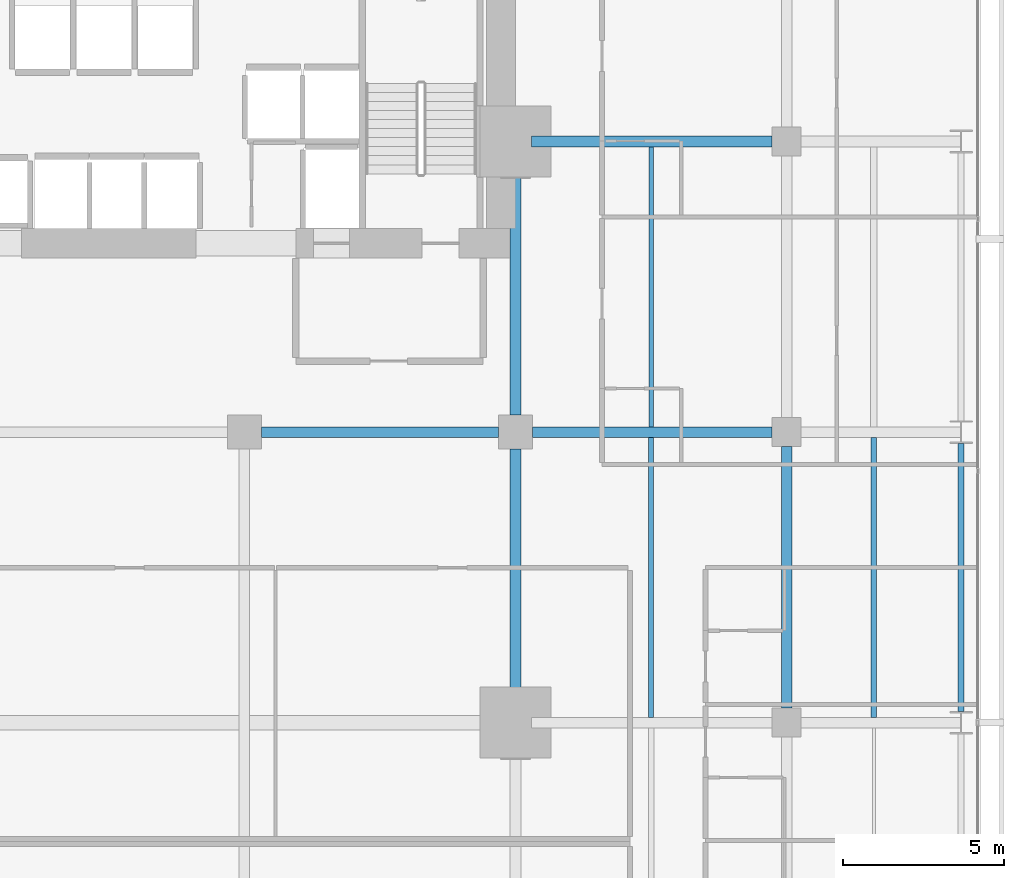
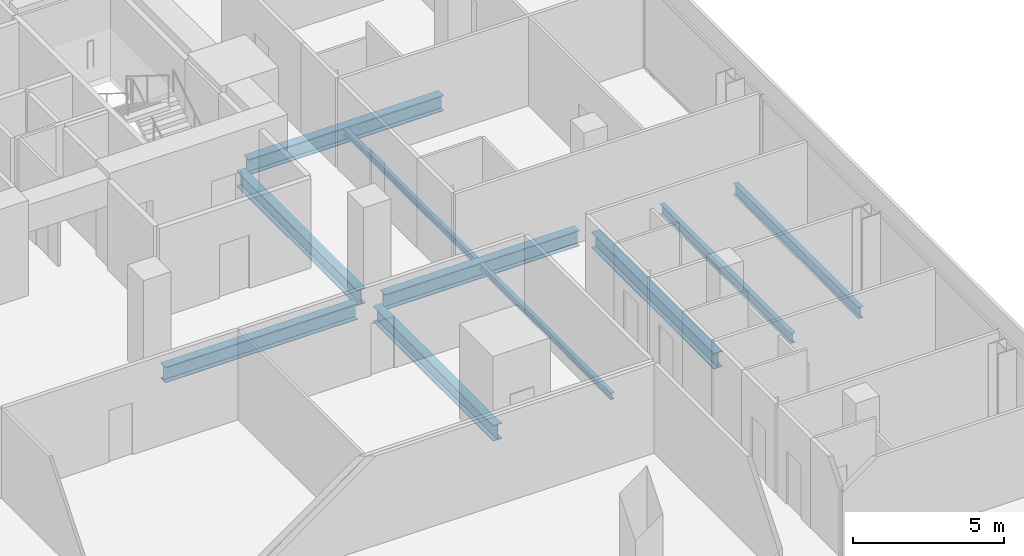
# One storey, part 27 of 40: 10 beams.
"""IFC4 building model written with IfcOpenShell, lengths in metres."""

from ifc_helpers import new_model, si_unit, direction, frame, origin, origin_2d, place, context, subcontext, project, spatial, i_section, extrude, material, material_profile, profile_set, type_object, element, save


model = new_model("IFC4")

# Units and contexts
model_context = context("Model", 3, precision=1e-05, world=origin(), true_north=direction((0.0, 1.0)))
body_context = subcontext(model_context, "Body", "Model", "MODEL_VIEW")
ifc_project = project(units=[si_unit("LENGTHUNIT", "METRE"), si_unit("AREAUNIT", "SQUARE_METRE"), si_unit("VOLUMEUNIT", "CUBIC_METRE"), si_unit("PLANEANGLEUNIT", "RADIAN"), si_unit("MASSUNIT", "GRAM", prefix="KILO")], contexts=[model_context])

# Site, building, storey
site_placement = place(None, origin())
site = spatial("IfcSite", under=ifc_project, at=site_placement, CompositionType="ELEMENT")
building_placement = place(site_placement, origin())
building = spatial("IfcBuilding", under=site, at=building_placement, Name="Maruvema Waterfront Hotel and Observation Tower", CompositionType="ELEMENT")
storey_placement = place(building_placement, frame((0.0, 0.0, 34.64990234375)))
storey = spatial("IfcBuildingStorey", under=building, at=storey_placement, Name="L07", CompositionType="ELEMENT", Elevation=34.64990234375)

# Beams
ifc_material_1 = material(Name="Steel ASTM A572 Grade 50", Category="steel")
ifc_material_profile_1 = material_profile(ifc_material_1, i_section(OverallWidth=0.18994140625, OverallDepth=0.45703125, WebThickness=0.009033203125, FlangeThickness=0.014404296875, FilletRadius=0.014892578125, at=origin_2d()), Name="W460x74.0")
ifc_profile_set_1 = profile_set([ifc_material_profile_1], Name="Steel ASTM A572 Grade 50")
beam_type_1 = type_object("IfcBeamType", Name="Perimeter Spandrel Beam W460x74.0", PredefinedType="SPANDREL", material=ifc_profile_set_1)
beam_1_placement = place(storey_placement, frame((64.199951171875, 27.35009765625, -0.468505859375), z_axis=(0.0, 1.0, 0.0), x_axis=(-1.0, 0.0, 0.0)))
element("IfcBeam", 1, at=beam_1_placement, inside=storey, type_object=beam_type_1, Name="L07 Floor Girder NS-35", PredefinedType="SPANDREL", context=body_context, shape_type="SweptSolid", body=[
    extrude(i_section(OverallWidth=0.18994140625, OverallDepth=0.45703125, WebThickness=0.009033203125, FlangeThickness=0.014404296875, FilletRadius=0.014892578125, at=origin_2d()), origin(), (0.0, 0.0, 1.0), 8.2998046875),
])
ifc_material_2 = material(Name="Steel ASTM A572 Grade 50", Category="steel")
ifc_material_profile_2 = material_profile(ifc_material_2, i_section(OverallWidth=0.3291015625, OverallDepth=0.635009765625, WebThickness=0.017822265625, FlangeThickness=0.031005859375, FilletRadius=0.01806640625, at=origin_2d()), Name="W610x241.0")
ifc_profile_set_2 = profile_set([ifc_material_profile_2], Name="Steel ASTM A572 Grade 50")
beam_type_2 = type_object("IfcBeamType", Name="Primary Floor Girder W610x241.0", PredefinedType="BEAM", material=ifc_profile_set_2)
beam_2_placement = place(storey_placement, frame((42.52490234375, 36.0, -0.557373046875), z_axis=(1.0, 0.0, 0.0), x_axis=(0.0, 1.0, 0.0)))
element("IfcBeam", 2, at=beam_2_placement, inside=storey, type_object=beam_type_2, Name="L07 Floor Girder EW-29", PredefinedType="BEAM", context=body_context, shape_type="SweptSolid", body=[
    extrude(i_section(OverallWidth=0.3291015625, OverallDepth=0.635009765625, WebThickness=0.017822265625, FlangeThickness=0.031005859375, FilletRadius=0.01806640625, at=origin_2d()), origin(), (0.0, 0.0, 1.0), 7.35009765625),
])
beam_3_placement = place(storey_placement, frame((50.925048828125, 36.0, -0.557373046875), z_axis=(1.0, 0.0, 0.0), x_axis=(0.0, 1.0, 0.0)))
element("IfcBeam", 3, at=beam_3_placement, inside=storey, type_object=beam_type_2, Name="L07 Floor Girder EW-30", PredefinedType="BEAM", context=body_context, shape_type="SweptSolid", body=[
    extrude(i_section(OverallWidth=0.3291015625, OverallDepth=0.635009765625, WebThickness=0.017822265625, FlangeThickness=0.031005859375, FilletRadius=0.01806640625, at=origin_2d()), origin(), (0.0, 0.0, 1.0), 7.425048828125),
])
beam_4_placement = place(storey_placement, frame((50.89990234375, 45.0, -0.557373046875), z_axis=(1.0, 0.0, 0.0), x_axis=(0.0, 1.0, 0.0)))
element("IfcBeam", 4, at=beam_4_placement, inside=storey, type_object=beam_type_2, Name="L07 Floor Girder EW-34", PredefinedType="BEAM", context=body_context, shape_type="SweptSolid", body=[
    extrude(i_section(OverallWidth=0.3291015625, OverallDepth=0.635009765625, WebThickness=0.017822265625, FlangeThickness=0.031005859375, FilletRadius=0.01806640625, at=origin_2d()), origin(), (0.0, 0.0, 1.0), 7.4501953125),
])
for number, where, z_axis, x_axis, name in (
    (5, (50.39990234375, 27.5, -0.557373046875), (0.0, 1.0, 0.0), (-1.0, 0.0, 0.0), "L07 Floor Girder NS-25"),
    (6, (50.39990234375, 36.52490234375, -0.557373046875), (0.0, 1.0, 0.0), (-1.0, 0.0, 0.0), "L07 Floor Girder NS-26"),
):
    element("IfcBeam", number, at=place(storey_placement, frame(where, z_axis=z_axis, x_axis=x_axis)), inside=storey, type_object=beam_type_2, Name=name, PredefinedType="BEAM", context=body_context, shape_type="SweptSolid", body=[
        extrude(i_section(OverallWidth=0.3291015625, OverallDepth=0.635009765625, WebThickness=0.017822265625, FlangeThickness=0.031005859375, FilletRadius=0.01806640625, at=origin_2d()), origin(), (0.0, 0.0, 1.0), 7.97509765625),
    ])
beam_5_placement = place(storey_placement, frame((58.800048828125, 27.449951171875, -0.557373046875), z_axis=(0.0, 1.0, 0.0), x_axis=(-1.0, 0.0, 0.0)))
element("IfcBeam", 7, at=beam_5_placement, inside=storey, type_object=beam_type_2, Name="L07 Floor Girder NS-30", PredefinedType="BEAM", context=body_context, shape_type="SweptSolid", body=[
    extrude(i_section(OverallWidth=0.3291015625, OverallDepth=0.635009765625, WebThickness=0.017822265625, FlangeThickness=0.031005859375, FilletRadius=0.01806640625, at=origin_2d()), origin(), (0.0, 0.0, 1.0), 8.10009765625),
])
ifc_material_3 = material(Name="Steel ASTM A572 Grade 50", Category="steel")
ifc_material_profile_3 = material_profile(ifc_material_3, i_section(OverallWidth=0.14599609375, OverallDepth=0.258056640625, WebThickness=0.006103515625, FlangeThickness=0.009033203125, FilletRadius=0.012939453125, at=origin_2d()), Name="W250x32.7")
ifc_profile_set_3 = profile_set([ifc_material_profile_3], Name="Steel ASTM A572 Grade 50")
beam_type_3 = type_object("IfcBeamType", Name="Secondary Floor Joist W250x32.7", PredefinedType="JOIST", material=ifc_profile_set_3)
beam_6_placement = place(storey_placement, frame((54.60009765625, 36.16455078125, -0.368896484375), z_axis=(0.0, 1.0, 0.0), x_axis=(-1.0, 0.0, 0.0)))
element("IfcBeam", 8, at=beam_6_placement, inside=storey, type_object=beam_type_3, Name="L07 Secondary Floor Joist JS-20", PredefinedType="JOIST", context=body_context, shape_type="SweptSolid", body=[
    extrude(i_section(OverallWidth=0.14599609375, OverallDepth=0.258056640625, WebThickness=0.006103515625, FlangeThickness=0.009033203125, FilletRadius=0.012939453125, at=origin_2d()), origin(), (0.0, 0.0, 1.0), 8.6708984375),
])
ifc_material_4 = material(Name="Steel ASTM A572 Grade 50", Category="steel")
ifc_material_profile_4 = material_profile(ifc_material_4, i_section(OverallWidth=0.14794921875, OverallDepth=0.26611328125, WebThickness=0.007568359375, FlangeThickness=0.012939453125, FilletRadius=0.012939453125, at=origin_2d()), Name="W250x44.8")
ifc_profile_set_4 = profile_set([ifc_material_profile_4], Name="Steel ASTM A572 Grade 50")
beam_type_4 = type_object("IfcBeamType", Name="Secondary Floor Joist W250x44.8", PredefinedType="JOIST", material=ifc_profile_set_4)
beam_7_placement = place(storey_placement, frame((54.60009765625, 27.16455078125, -0.372802734375), z_axis=(0.0, 1.0, 0.0), x_axis=(-1.0, 0.0, 0.0)))
element("IfcBeam", 9, at=beam_7_placement, inside=storey, type_object=beam_type_4, Name="L07 Secondary Floor Joist JS-19", PredefinedType="JOIST", context=body_context, shape_type="SweptSolid", body=[
    extrude(i_section(OverallWidth=0.14794921875, OverallDepth=0.26611328125, WebThickness=0.007568359375, FlangeThickness=0.012939453125, FilletRadius=0.012939453125, at=origin_2d()), origin(), (0.0, 0.0, 1.0), 8.6708984375),
])
ifc_material_5 = material(Name="Steel ASTM A572 Grade 50", Category="steel")
ifc_material_profile_5 = material_profile(ifc_material_5, i_section(OverallWidth=0.177001953125, OverallDepth=0.403076171875, WebThickness=0.007568359375, FlangeThickness=0.010986328125, FilletRadius=0.014892578125, at=origin_2d()), Name="W410x53.0")
ifc_profile_set_5 = profile_set([ifc_material_profile_5], Name="Steel ASTM A572 Grade 50")
beam_type_5 = type_object("IfcBeamType", Name="Secondary Floor Joist W410x53.0", PredefinedType="JOIST", material=ifc_profile_set_5)
beam_8_placement = place(storey_placement, frame((61.5, 27.16455078125, -0.44140625), z_axis=(0.0, 1.0, 0.0), x_axis=(-1.0, 0.0, 0.0)))
element("IfcBeam", 10, at=beam_8_placement, inside=storey, type_object=beam_type_5, Name="L07 Secondary Floor Joist JS-23", PredefinedType="JOIST", context=body_context, shape_type="SweptSolid", body=[
    extrude(i_section(OverallWidth=0.177001953125, OverallDepth=0.403076171875, WebThickness=0.007568359375, FlangeThickness=0.010986328125, FilletRadius=0.014892578125, at=origin_2d()), origin(), (0.0, 0.0, 1.0), 8.6708984375),
])

save(model, "model.ifc")
